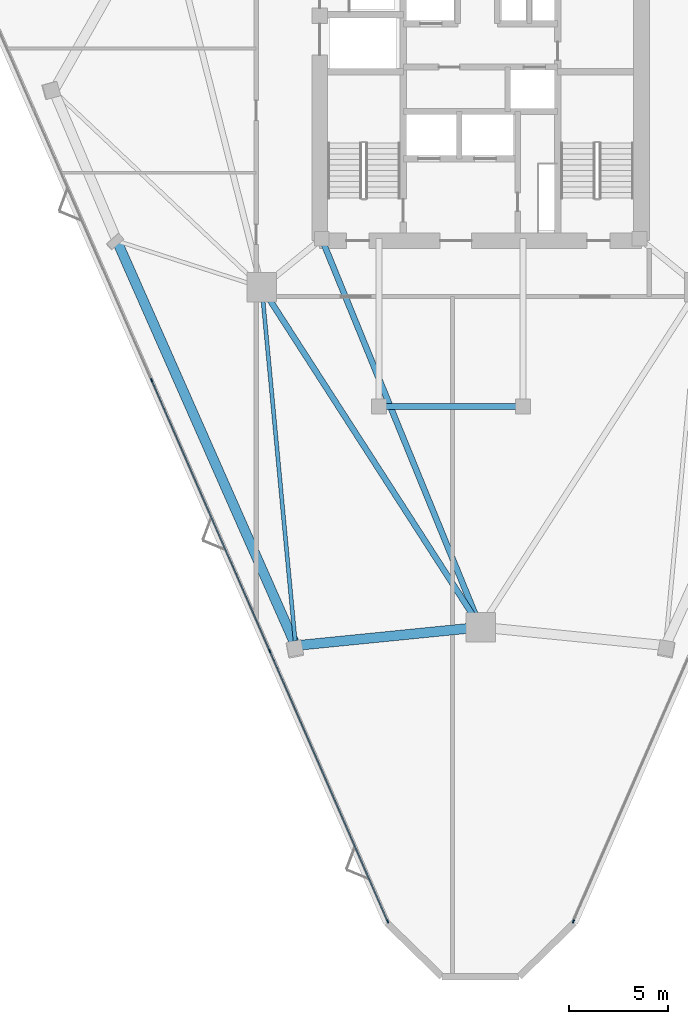
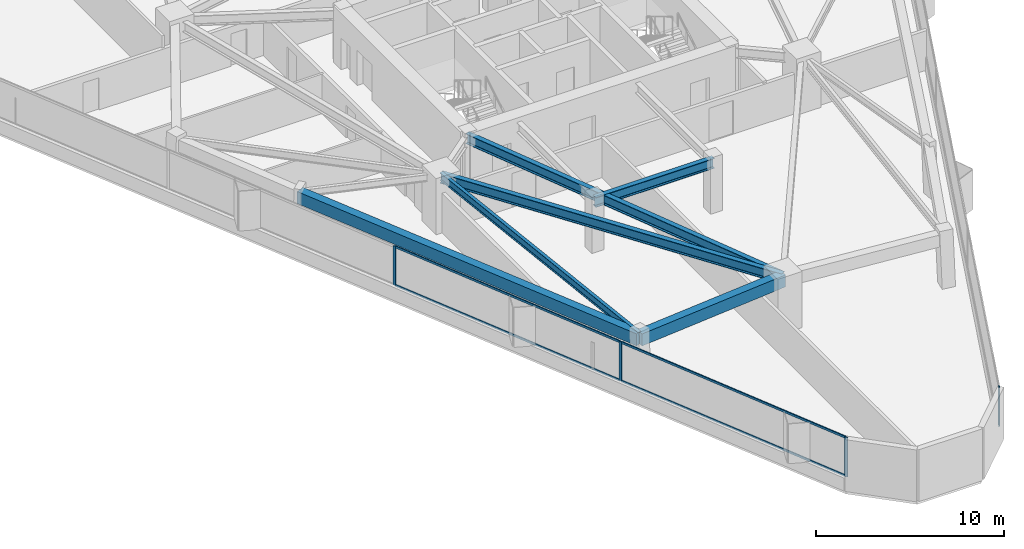
# One storey, part 2 of 14: 8 members, 6 beams, 2 elements without a shape of their own.
"""IFC4 building model written with IfcOpenShell, lengths in metres."""

from ifc_helpers import new_model, si_unit, direction, frame, origin, origin_2d, place, context, subcontext, project, spatial, rectangle, i_section, extrude, material, layer, layer_set, material_profile, profile_set, type_object, element, aggregate, save


model = new_model("IFC4")

# Units and contexts
model_context = context("Model", 3, precision=1e-05, world=origin(), true_north=direction((0.0, 1.0)))
body_context = subcontext(model_context, "Body", "Model", "MODEL_VIEW")
ifc_project = project(units=[si_unit("LENGTHUNIT", "METRE"), si_unit("AREAUNIT", "SQUARE_METRE"), si_unit("VOLUMEUNIT", "CUBIC_METRE"), si_unit("PLANEANGLEUNIT", "RADIAN"), si_unit("MASSUNIT", "GRAM", prefix="KILO")], contexts=[model_context])

# Site, building, storey
site_placement = place(None, origin())
site = spatial("IfcSite", under=ifc_project, at=site_placement, CompositionType="ELEMENT")
building_placement = place(site_placement, origin())
building = spatial("IfcBuilding", under=site, at=building_placement, Name="Talyreon Biosciences Tower", CompositionType="ELEMENT")
storey_placement = place(building_placement, frame((0.0, 0.0, 141.800048828125)))
storey = spatial("IfcBuildingStorey", under=building, at=storey_placement, Name="L37", CompositionType="ELEMENT", Elevation=141.800048828125)

# Curtain wall, members
ifc_material_1 = material(Name="Thermally broken aluminium and low-E glazing", Category="aluminium")
ifc_layer = layer(ifc_material_1, 0.18505859375)
ifc_layer_set = layer_set([ifc_layer], Name="Thermally broken aluminium and low-E glazing")
curtain_wall_type = type_object("IfcCurtainWallType", Name="CurtainWall_Zone3Bioprocess", PredefinedType="NOTDEFINED", material=ifc_layer_set)
curtain_wall_1_placement = place(storey_placement, origin())
curtain_wall_1 = element("IfcCurtainWall", 1, at=curtain_wall_1_placement, inside=storey, type_object=curtain_wall_type, Name="L37 Unitised Curtain Wall FCW-L37-00", PredefinedType="NOTDEFINED")
ifc_material_2 = material(Name="Anodised thermally broken aluminium", Category="aluminium")
ifc_material_profile_1 = material_profile(ifc_material_2, rectangle(XDim=0.06494140625, YDim=0.179931640625, at=origin_2d()), Name="ALUM MULLION 65x180")
ifc_profile_set_1 = profile_set([ifc_material_profile_1], Name="Anodised thermally broken aluminium")
member_type_1 = type_object("IfcMemberType", Name="CWMullion_65x180", PredefinedType="MULLION", material=ifc_profile_set_1)
member_1_placement = place(storey_placement, frame((61.294189453125, 26.75537109375, 0.81005859375), z_axis=(0.0, 0.0, 1.0), x_axis=(-0.916566441856, -0.399882429801, 0.0)))
member_1 = element("IfcMember", 2, at=member_1_placement, type_object=member_type_1, Name="CW4 mullion 1", PredefinedType="MULLION", context=body_context, shape_type="SweptSolid", body=[
    extrude(rectangle(XDim=0.06494140625, YDim=0.179931640625, at=origin_2d()), origin(), (0.0, 0.0, 1.0), 2.56494140625),
])
member_2_placement = place(storey_placement, frame((55.31787109375, 40.453857421875, 0.81005859375), z_axis=(0.0, 0.0, 1.0), x_axis=(-0.916566441856, -0.399882429801, 0.0)))
member_2 = element("IfcMember", 3, at=member_2_placement, type_object=member_type_1, Name="CW4 mullion 2", PredefinedType="MULLION", context=body_context, shape_type="SweptSolid", body=[
    extrude(rectangle(XDim=0.06494140625, YDim=0.179931640625, at=origin_2d()), origin(), (0.0, 0.0, 1.0), 2.56494140625),
])
member_3_placement = place(storey_placement, frame((49.328369140625, 54.18212890625, 0.81005859375), z_axis=(0.0, 0.0, 1.0), x_axis=(-0.916566441856, -0.399882429801, 0.0)))
member_3 = element("IfcMember", 4, at=member_3_placement, type_object=member_type_1, Name="CW4 mullion 3", PredefinedType="MULLION", context=body_context, shape_type="SweptSolid", body=[
    extrude(rectangle(XDim=0.06494140625, YDim=0.179931640625, at=origin_2d()), origin(), (0.0, 0.0, 1.0), 2.56494140625),
])

# Curtain wall, member
curtain_wall_2_placement = place(storey_placement, origin())
curtain_wall_2 = element("IfcCurtainWall", 5, at=curtain_wall_2_placement, inside=storey, type_object=curtain_wall_type, Name="L37 Unitised Curtain Wall FCW-L37-08", PredefinedType="NOTDEFINED")
member_4_placement = place(storey_placement, frame((70.705810546875, 26.75537109375, 0.81005859375), z_axis=(0.0, 0.0, 1.0), x_axis=(0.916566441856, -0.399882429801, 0.0)))
member_4 = element("IfcMember", 6, at=member_4_placement, type_object=member_type_1, Name="CW4 mullion 5", PredefinedType="MULLION", context=body_context, shape_type="SweptSolid", body=[
    extrude(rectangle(XDim=0.06494140625, YDim=0.179931640625, at=origin_2d()), origin(), (0.0, 0.0, 1.0), 2.56494140625),
])
aggregate(curtain_wall_2, [member_4])

# Member
ifc_material_profile_2 = material_profile(ifc_material_2, rectangle(XDim=0.06494140625, YDim=0.139892578125, at=origin_2d()), Name="ALUM TRANSOM 65x140")
ifc_profile_set_2 = profile_set([ifc_material_profile_2], Name="Anodised thermally broken aluminium")
member_type_2 = type_object("IfcMemberType", Name="CWTransom_65x140", PredefinedType="USERDEFINED", material=ifc_profile_set_2)
member_5_placement = place(storey_placement, frame((61.28125, 26.78515625, 0.842529296875), z_axis=(-0.39988306059, 0.916566166653, 0.0), x_axis=(-0.916566166653, -0.39988306059, 0.0)))
member_5 = element("IfcMember", 7, at=member_5_placement, type_object=member_type_2, Name="CW4 transom 1.1", ObjectType="TRANSOM", PredefinedType="USERDEFINED", context=body_context, shape_type="SweptSolid", body=[
    extrude(rectangle(XDim=0.06494140625, YDim=0.139892578125, at=origin_2d()), origin(), (0.0, 0.0, 1.0), 14.88037109375),
])

member_6_placement = place(storey_placement, frame((61.28125, 26.78515625, 3.342529296875), z_axis=(-0.39988306059, 0.916566166653, 0.0), x_axis=(-0.916566166653, -0.39988306059, 0.0)))
member_6 = element("IfcMember", 8, at=member_6_placement, type_object=member_type_2, Name="CW4 transom 1.2", ObjectType="TRANSOM", PredefinedType="USERDEFINED", context=body_context, shape_type="SweptSolid", body=[
    extrude(rectangle(XDim=0.06494140625, YDim=0.139892578125, at=origin_2d()), origin(), (0.0, 0.0, 1.0), 14.88037109375),
])

member_7_placement = place(storey_placement, frame((55.3046875, 40.483642578125, 0.842529296875), z_axis=(-0.399879943614, 0.916567526533, 0.0), x_axis=(-0.916567526533, -0.399879943614, 0.0)))
member_7 = element("IfcMember", 9, at=member_7_placement, type_object=member_type_2, Name="CW4 transom 2.1", ObjectType="TRANSOM", PredefinedType="USERDEFINED", context=body_context, shape_type="SweptSolid", body=[
    extrude(rectangle(XDim=0.06494140625, YDim=0.139892578125, at=origin_2d()), origin(), (0.0, 0.0, 1.0), 14.912841796875),
])

member_8_placement = place(storey_placement, frame((55.3046875, 40.483642578125, 3.342529296875), z_axis=(-0.399879943614, 0.916567526533, 0.0), x_axis=(-0.916567526533, -0.399879943614, 0.0)))
member_8 = element("IfcMember", 10, at=member_8_placement, type_object=member_type_2, Name="CW4 transom 2.2", ObjectType="TRANSOM", PredefinedType="USERDEFINED", context=body_context, shape_type="SweptSolid", body=[
    extrude(rectangle(XDim=0.06494140625, YDim=0.139892578125, at=origin_2d()), origin(), (0.0, 0.0, 1.0), 14.912841796875),
])

aggregate(curtain_wall_1, [member_1, member_2, member_3, member_5, member_6, member_7, member_8])

# Beams
ifc_material_3 = material(Name="Precast concrete C45/55", Category="concrete")
ifc_material_profile_3 = material_profile(ifc_material_3, rectangle(XDim=0.5, YDim=0.780029296875, at=origin_2d()), Name="RCB 500x780")
ifc_profile_set_3 = profile_set([ifc_material_profile_3], Name="Precast concrete C45/55")
beam_type_1 = type_object("IfcBeamType", Name="ExpressedSpandrel_500x780", PredefinedType="SPANDREL", material=ifc_profile_set_3)
beam_1_placement = place(storey_placement, frame((47.575927734375, 61.236328125, 2.98486328125), z_axis=(0.40385230335, -0.914824200095, 0.0), x_axis=(0.914824200095, 0.40385230335, 0.0)))
element("IfcBeam", 11, at=beam_1_placement, inside=storey, type_object=beam_type_1, Name="L37 Expressed Horizontal Concrete Spandrel 11", PredefinedType="SPANDREL", context=body_context, shape_type="SweptSolid", body=[
    extrude(rectangle(XDim=0.5, YDim=0.780029296875, at=origin_2d()), origin(), (0.0, 0.0, 1.0), 22.415283203125),
])
beam_2_placement = place(storey_placement, frame((56.62841796875, 40.730224609375, 2.98486328125), z_axis=(0.995041295816, 0.099462654406, 0.0), x_axis=(-0.099462654406, 0.995041295816, 0.0)))
element("IfcBeam", 12, at=beam_2_placement, inside=storey, type_object=beam_type_1, Name="L37 Expressed Horizontal Concrete Spandrel 12", PredefinedType="SPANDREL", context=body_context, shape_type="SweptSolid", body=[
    extrude(rectangle(XDim=0.5, YDim=0.780029296875, at=origin_2d()), origin(), (0.0, 0.0, 1.0), 9.418212890625),
])
ifc_material_4 = material(Name="Steel SM355", Category="steel")
ifc_material_profile_4 = material_profile(ifc_material_4, i_section(OverallWidth=0.300048828125, OverallDepth=0.64990234375, WebThickness=0.01611328125, FlangeThickness=0.031005859375, FilletRadius=0.027099609375, at=origin_2d()), Name="HE650B")
ifc_profile_set_4 = profile_set([ifc_material_profile_4], Name="Steel SM355")
beam_type_2 = type_object("IfcBeamType", Name="SteelBeam_HE650B", PredefinedType="BEAM", material=ifc_profile_set_4)
beam_3_placement = place(storey_placement, frame((54.913818359375, 58.88037109375, 3.050048828125), z_axis=(0.541463723609, -0.840724114092, 0.0), x_axis=(0.840724114092, 0.541463723609, 0.0)))
element("IfcBeam", 13, at=beam_3_placement, inside=storey, type_object=beam_type_2, Name="L37 Mega-Ring Girder 6", PredefinedType="BEAM", context=body_context, shape_type="SweptSolid", body=[
    extrude(i_section(OverallWidth=0.300048828125, OverallDepth=0.64990234375, WebThickness=0.01611328125, FlangeThickness=0.031005859375, FilletRadius=0.027099609375, at=origin_2d()), origin(), (0.0, 0.0, 1.0), 20.474365234375),
])
beam_4_placement = place(storey_placement, frame((57.949951171875, 61.35009765625, 3.050048828125), z_axis=(0.378547014545, -0.925582064314, 0.0), x_axis=(0.925582064314, 0.378547014545, 0.0)))
element("IfcBeam", 14, at=beam_4_placement, inside=storey, type_object=beam_type_2, Name="L37 Radial Primary Girder 1", PredefinedType="BEAM", context=body_context, shape_type="SweptSolid", body=[
    extrude(i_section(OverallWidth=0.300048828125, OverallDepth=0.64990234375, WebThickness=0.01611328125, FlangeThickness=0.031005859375, FilletRadius=0.027099609375, at=origin_2d()), origin(), (0.0, 0.0, 1.0), 21.265625),
])
beam_5_placement = place(storey_placement, frame((60.85009765625, 52.840087890625, 3.050048828125), z_axis=(1.0, 0.0, 0.0), x_axis=(0.0, 1.0, 0.0)))
element("IfcBeam", 15, at=beam_5_placement, inside=storey, type_object=beam_type_2, Name="L37 Crown Shaft Spine Girder S", PredefinedType="BEAM", context=body_context, shape_type="SweptSolid", body=[
    extrude(i_section(OverallWidth=0.300048828125, OverallDepth=0.64990234375, WebThickness=0.01611328125, FlangeThickness=0.031005859375, FilletRadius=0.027099609375, at=origin_2d()), origin(), (0.0, 0.0, 1.0), 7.2998046875),
])
ifc_material_profile_5 = material_profile(ifc_material_4, i_section(OverallWidth=0.199951171875, OverallDepth=0.5, WebThickness=0.01025390625, FlangeThickness=0.01611328125, FilletRadius=0.02099609375, at=origin_2d()), Name="IPE500")
ifc_profile_set_5 = profile_set([ifc_material_profile_5], Name="Steel SM355")
beam_type_3 = type_object("IfcBeamType", Name="SteelJoist_IPE500", PredefinedType="JOIST", material=ifc_profile_set_5)
beam_6_placement = place(storey_placement, frame((54.913818359375, 58.88037109375, 3.125), z_axis=(0.094048816471, -0.995567586917, 0.0), x_axis=(0.995567586917, 0.094048816471, 0.0)))
element("IfcBeam", 16, at=beam_6_placement, inside=storey, type_object=beam_type_3, Name="L37 Radial Composite Floor Joist PC-SW2", PredefinedType="JOIST", context=body_context, shape_type="SweptSolid", body=[
    extrude(i_section(OverallWidth=0.199951171875, OverallDepth=0.5, WebThickness=0.01025390625, FlangeThickness=0.01611328125, FilletRadius=0.02099609375, at=origin_2d()), origin(), (0.0, 0.0, 1.0), 18.23095703125),
])

save(model, "model.ifc")
